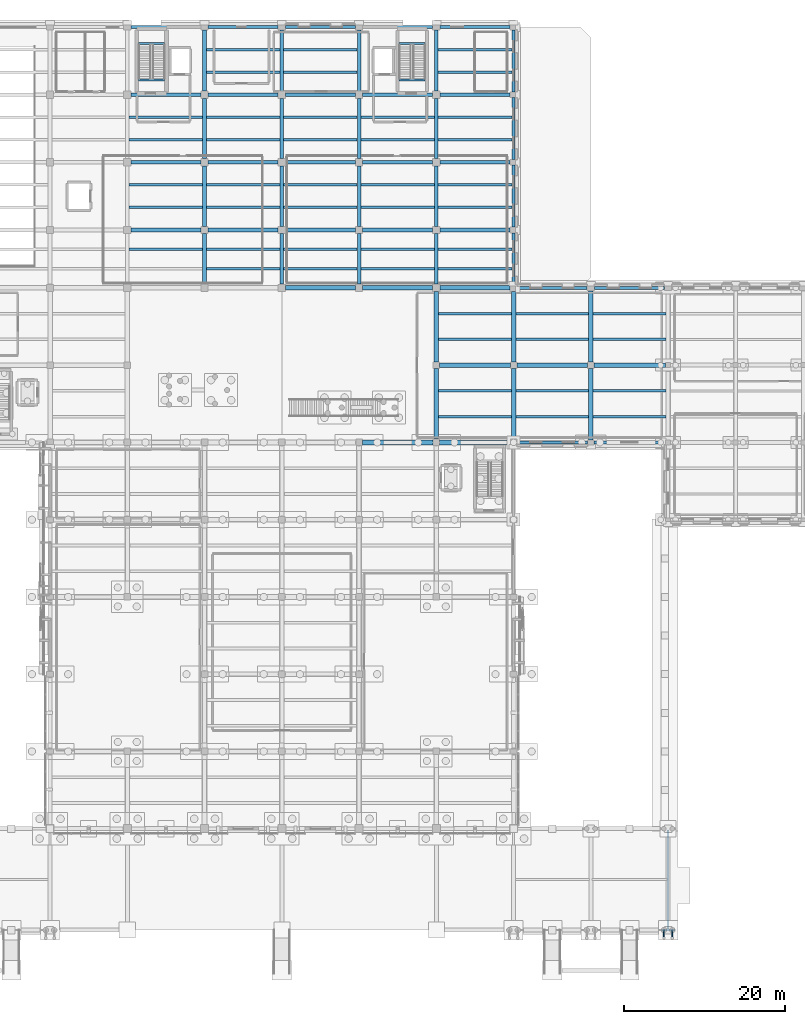
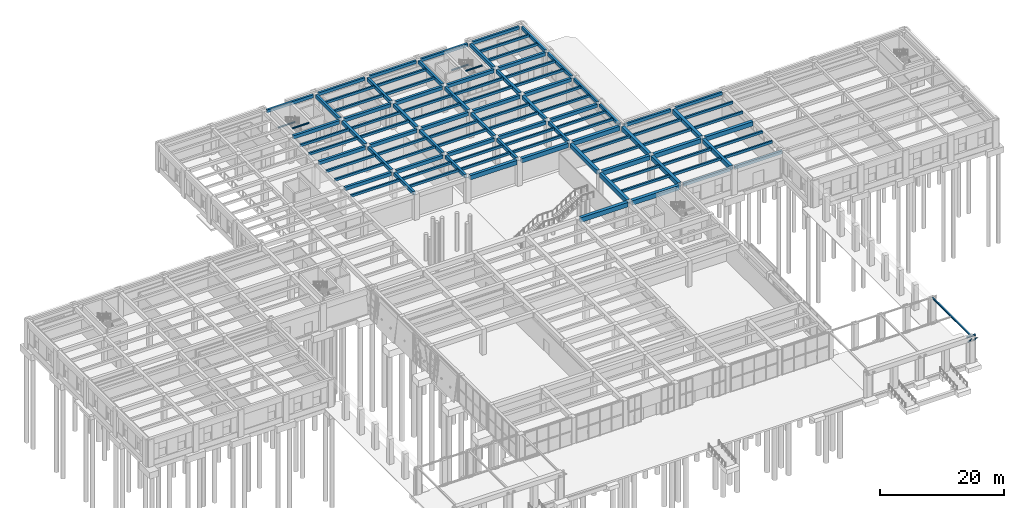
# One storey, part 22 of 51: 111 beams, 2 members.
"""IFC4 building model written with IfcOpenShell, lengths in metres."""

from ifc_helpers import new_model, si_unit, direction, frame, origin, origin_2d, place, context, subcontext, project, spatial, rectangle, hollow_circle, i_section, extrude, material, material_profile, profile_set, type_object, element, save


model = new_model("IFC4")

# Units and contexts
model_context = context("Model", 3, precision=1e-05, world=origin(), true_north=direction((0.0, 1.0)))
body_context = subcontext(model_context, "Body", "Model", "MODEL_VIEW")
ifc_project = project(units=[si_unit("LENGTHUNIT", "METRE"), si_unit("AREAUNIT", "SQUARE_METRE"), si_unit("VOLUMEUNIT", "CUBIC_METRE"), si_unit("PLANEANGLEUNIT", "RADIAN"), si_unit("MASSUNIT", "GRAM", prefix="KILO")], contexts=[model_context])

# Site, building, storey
site_placement = place(None, origin())
site = spatial("IfcSite", under=ifc_project, at=site_placement, CompositionType="ELEMENT")
building_placement = place(site_placement, origin())
building = spatial("IfcBuilding", under=site, at=building_placement, Name="Bempovik Park Faculty of Sciences", CompositionType="ELEMENT")
storey_placement = place(building_placement, origin())
storey = spatial("IfcBuildingStorey", under=building, at=storey_placement, Name="L00", CompositionType="ELEMENT", Elevation=0.0)

# Beams
ifc_material_1 = material(Name="Concrete C35/45", Category="concrete")
ifc_material_profile_1 = material_profile(ifc_material_1, rectangle(XDim=0.3798828125, YDim=0.60009765625, at=origin_2d()), Name="RC 380x600")
ifc_profile_set_1 = profile_set([ifc_material_profile_1], Name="Concrete C35/45")
beam_type_1 = type_object("IfcBeamType", Name="B-032 RC 380x600", PredefinedType="SPANDREL", material=ifc_profile_set_1)
beam_1_placement = place(storey_placement, frame((118.006103515625, 67.800048828125, 4.780029296875), z_axis=(1.0, 0.0, 0.0), x_axis=(0.0, 1.0, 0.0)))
element("IfcBeam", 1, at=beam_1_placement, inside=storey, type_object=beam_type_1, Name="L00 Beam X (117.6-127.2, y=67.8)", PredefinedType="SPANDREL", context=body_context, shape_type="SweptSolid", body=[
    extrude(rectangle(XDim=0.3798828125, YDim=0.60009765625, at=origin_2d()), origin(), (0.0, 0.0, 1.0), 8.787841796875),
])
beam_2_placement = place(storey_placement, frame((127.60595703125, 67.800048828125, 4.780029296875), z_axis=(1.0, 0.0, 0.0), x_axis=(0.0, 1.0, 0.0)))
element("IfcBeam", 2, at=beam_2_placement, inside=storey, type_object=beam_type_1, Name="L00 Beam X (127.2-136.8, y=67.8)", PredefinedType="SPANDREL", context=body_context, shape_type="SweptSolid", body=[
    extrude(rectangle(XDim=0.3798828125, YDim=0.60009765625, at=origin_2d()), origin(), (0.0, 0.0, 1.0), 8.8779296875),
])
for number, where, z_axis, x_axis, name in (
    (3, (118.055908203125, 87.0, 4.780029296875), (1.0, 0.0, 0.0), (0.0, 1.0, 0.0), "L00 Beam X (117.6-127.2, y=87.0)"),
    (4, (127.656005859375, 87.0, 4.780029296875), (1.0, 0.0, 0.0), (0.0, 1.0, 0.0), "L00 Beam X (127.2-136.8, y=87.0)"),
    (5, (70.055908203125, 119.39990234375, 4.780029296875), (1.0, 0.0, 0.0), (0.0, 1.0, 0.0), "L00 Beam X (69.6-79.2, y=119.4)"),
    (6, (79.656005859375, 119.39990234375, 4.780029296875), (1.0, 0.0, 0.0), (0.0, 1.0, 0.0), "L00 Beam X (79.2-88.8, y=119.4)"),
    (7, (89.256103515625, 119.39990234375, 4.780029296875), (1.0, 0.0, 0.0), (0.0, 1.0, 0.0), "L00 Beam X (88.8-98.4, y=119.4)"),
    (8, (98.85595703125, 119.39990234375, 4.780029296875), (1.0, 0.0, 0.0), (0.0, 1.0, 0.0), "L00 Beam X (98.4-108.0, y=119.4)"),
    (9, (108.4560546875, 119.39990234375, 4.780029296875), (1.0, 0.0, 0.0), (0.0, 1.0, 0.0), "L00 Beam X (108.0-117.6, y=119.4)"),
):
    element("IfcBeam", number, at=place(storey_placement, frame(where, z_axis=z_axis, x_axis=x_axis)), inside=storey, type_object=beam_type_1, Name=name, PredefinedType="SPANDREL", context=body_context, shape_type="SweptSolid", body=[
        extrude(rectangle(XDim=0.3798828125, YDim=0.60009765625, at=origin_2d()), origin(), (0.0, 0.0, 1.0), 8.68798828125),
    ])
beam_3_placement = place(storey_placement, frame((117.60009765625, 87.4560546875, 4.780029296875), z_axis=(0.0, 1.0, 0.0), x_axis=(-1.0, 0.0, 0.0)))
element("IfcBeam", 10, at=beam_3_placement, inside=storey, type_object=beam_type_1, Name="L00 Beam Y (x=117.6, 87.0-94.2)", PredefinedType="SPANDREL", context=body_context, shape_type="SweptSolid", body=[
    extrude(rectangle(XDim=0.3798828125, YDim=0.60009765625, at=origin_2d()), origin(), (0.0, 0.0, 1.0), 6.387939453125),
])
for number, where, z_axis, x_axis, name in (
    (11, (117.60009765625, 94.555908203125, 4.780029296875), (0.0, 1.0, 0.0), (-1.0, 0.0, 0.0), "L00 Beam Y (x=117.6, 94.2-102.6)"),
    (12, (117.60009765625, 102.9560546875, 4.780029296875), (0.0, 1.0, 0.0), (-1.0, 0.0, 0.0), "L00 Beam Y (x=117.6, 102.6-111.0)"),
    (13, (117.60009765625, 111.35595703125, 4.780029296875), (0.0, 1.0, 0.0), (-1.0, 0.0, 0.0), "L00 Beam Y (x=117.6, 111.0-119.4)"),
):
    element("IfcBeam", number, at=place(storey_placement, frame(where, z_axis=z_axis, x_axis=x_axis)), inside=storey, type_object=beam_type_1, Name=name, PredefinedType="SPANDREL", context=body_context, shape_type="SweptSolid", body=[
        extrude(rectangle(XDim=0.3798828125, YDim=0.60009765625, at=origin_2d()), origin(), (0.0, 0.0, 1.0), 7.68798828125),
    ])
ifc_material_profile_2 = material_profile(ifc_material_1, rectangle(XDim=0.300048828125, YDim=0.47998046875, at=origin_2d()), Name="RC 300x480")
ifc_profile_set_2 = profile_set([ifc_material_profile_2], Name="Concrete C35/45")
beam_type_2 = type_object("IfcBeamType", Name="B-039 RC 300x480", PredefinedType="JOIST", material=ifc_profile_set_2)
for number, where, z_axis, x_axis, name in (
    (14, (69.8310546875, 91.800048828125, 4.840087890625), (1.0, 0.0, 0.0), (0.0, 1.0, 0.0), "L00 Secondary Joist (69.6-79.2, y=91.80)"),
    (15, (69.8310546875, 97.0, 4.840087890625), (1.0, 0.0, 0.0), (0.0, 1.0, 0.0), "L00 Secondary Joist (69.6-79.2, y=97.00)"),
    (16, (69.8310546875, 99.800048828125, 4.840087890625), (1.0, 0.0, 0.0), (0.0, 1.0, 0.0), "L00 Secondary Joist (69.6-79.2, y=99.80)"),
    (17, (69.8310546875, 105.39990234375, 4.840087890625), (1.0, 0.0, 0.0), (0.0, 1.0, 0.0), "L00 Secondary Joist (69.6-79.2, y=105.40)"),
    (18, (69.8310546875, 108.199951171875, 4.840087890625), (1.0, 0.0, 0.0), (0.0, 1.0, 0.0), "L00 Secondary Joist (69.6-79.2, y=108.20)"),
):
    element("IfcBeam", number, at=place(storey_placement, frame(where, z_axis=z_axis, x_axis=x_axis)), inside=storey, type_object=beam_type_2, Name=name, PredefinedType="JOIST", context=body_context, shape_type="SweptSolid", body=[
        extrude(rectangle(XDim=0.300048828125, YDim=0.47998046875, at=origin_2d()), origin(), (0.0, 0.0, 1.0), 9.137939453125),
    ])
for number, where, z_axis, x_axis, name in (
    (19, (79.430908203125, 89.39990234375, 4.840087890625), (1.0, 0.0, 0.0), (0.0, 1.0, 0.0), "L00 Secondary Joist (79.2-88.8, y=89.40)"),
    (20, (79.430908203125, 91.800048828125, 4.840087890625), (1.0, 0.0, 0.0), (0.0, 1.0, 0.0), "L00 Secondary Joist (79.2-88.8, y=91.80)"),
    (21, (79.430908203125, 97.0, 4.840087890625), (1.0, 0.0, 0.0), (0.0, 1.0, 0.0), "L00 Secondary Joist (79.2-88.8, y=97.00)"),
    (22, (79.430908203125, 99.800048828125, 4.840087890625), (1.0, 0.0, 0.0), (0.0, 1.0, 0.0), "L00 Secondary Joist (79.2-88.8, y=99.80)"),
    (23, (79.430908203125, 105.39990234375, 4.840087890625), (1.0, 0.0, 0.0), (0.0, 1.0, 0.0), "L00 Secondary Joist (79.2-88.8, y=105.40)"),
    (24, (79.430908203125, 108.199951171875, 4.840087890625), (1.0, 0.0, 0.0), (0.0, 1.0, 0.0), "L00 Secondary Joist (79.2-88.8, y=108.20)"),
    (25, (79.430908203125, 113.800048828125, 4.840087890625), (1.0, 0.0, 0.0), (0.0, 1.0, 0.0), "L00 Secondary Joist (79.2-88.8, y=113.80)"),
    (26, (79.430908203125, 116.60009765625, 4.840087890625), (1.0, 0.0, 0.0), (0.0, 1.0, 0.0), "L00 Secondary Joist (79.2-88.8, y=116.60)"),
):
    element("IfcBeam", number, at=place(storey_placement, frame(where, z_axis=z_axis, x_axis=x_axis)), inside=storey, type_object=beam_type_2, Name=name, PredefinedType="JOIST", context=body_context, shape_type="SweptSolid", body=[
        extrude(rectangle(XDim=0.300048828125, YDim=0.47998046875, at=origin_2d()), origin(), (0.0, 0.0, 1.0), 9.13818359375),
    ])
for number, where, z_axis, x_axis, name in (
    (27, (89.031005859375, 89.39990234375, 4.840087890625), (1.0, 0.0, 0.0), (0.0, 1.0, 0.0), "L00 Secondary Joist (88.8-98.4, y=89.40)"),
    (28, (89.031005859375, 91.800048828125, 4.840087890625), (1.0, 0.0, 0.0), (0.0, 1.0, 0.0), "L00 Secondary Joist (88.8-98.4, y=91.80)"),
    (29, (89.031005859375, 97.0, 4.840087890625), (1.0, 0.0, 0.0), (0.0, 1.0, 0.0), "L00 Secondary Joist (88.8-98.4, y=97.00)"),
    (30, (89.031005859375, 99.800048828125, 4.840087890625), (1.0, 0.0, 0.0), (0.0, 1.0, 0.0), "L00 Secondary Joist (88.8-98.4, y=99.80)"),
    (31, (89.031005859375, 105.39990234375, 4.840087890625), (1.0, 0.0, 0.0), (0.0, 1.0, 0.0), "L00 Secondary Joist (88.8-98.4, y=105.40)"),
    (32, (89.031005859375, 108.199951171875, 4.840087890625), (1.0, 0.0, 0.0), (0.0, 1.0, 0.0), "L00 Secondary Joist (88.8-98.4, y=108.20)"),
    (33, (89.031005859375, 113.800048828125, 4.840087890625), (1.0, 0.0, 0.0), (0.0, 1.0, 0.0), "L00 Secondary Joist (88.8-98.4, y=113.80)"),
    (34, (89.031005859375, 116.60009765625, 4.840087890625), (1.0, 0.0, 0.0), (0.0, 1.0, 0.0), "L00 Secondary Joist (88.8-98.4, y=116.60)"),
    (35, (98.631103515625, 89.39990234375, 4.840087890625), (1.0, 0.0, 0.0), (0.0, 1.0, 0.0), "L00 Secondary Joist (98.4-108.0, y=89.40)"),
    (36, (98.631103515625, 91.800048828125, 4.840087890625), (1.0, 0.0, 0.0), (0.0, 1.0, 0.0), "L00 Secondary Joist (98.4-108.0, y=91.80)"),
    (37, (98.631103515625, 97.0, 4.840087890625), (1.0, 0.0, 0.0), (0.0, 1.0, 0.0), "L00 Secondary Joist (98.4-108.0, y=97.00)"),
    (38, (98.631103515625, 99.800048828125, 4.840087890625), (1.0, 0.0, 0.0), (0.0, 1.0, 0.0), "L00 Secondary Joist (98.4-108.0, y=99.80)"),
    (39, (98.631103515625, 105.39990234375, 4.840087890625), (1.0, 0.0, 0.0), (0.0, 1.0, 0.0), "L00 Secondary Joist (98.4-108.0, y=105.40)"),
    (40, (98.631103515625, 108.199951171875, 4.840087890625), (1.0, 0.0, 0.0), (0.0, 1.0, 0.0), "L00 Secondary Joist (98.4-108.0, y=108.20)"),
):
    element("IfcBeam", number, at=place(storey_placement, frame(where, z_axis=z_axis, x_axis=x_axis)), inside=storey, type_object=beam_type_2, Name=name, PredefinedType="JOIST", context=body_context, shape_type="SweptSolid", body=[
        extrude(rectangle(XDim=0.300048828125, YDim=0.47998046875, at=origin_2d()), origin(), (0.0, 0.0, 1.0), 9.137939453125),
    ])
for number, where, z_axis, x_axis, name in (
    (41, (108.281005859375, 71.0, 4.840087890625), (1.0, 0.0, 0.0), (0.0, 1.0, 0.0), "L00 Secondary Joist (108.0-117.6, y=71.00)"),
    (42, (108.281005859375, 74.199951171875, 4.840087890625), (1.0, 0.0, 0.0), (0.0, 1.0, 0.0), "L00 Secondary Joist (108.0-117.6, y=74.20)"),
    (43, (108.281005859375, 80.60009765625, 4.840087890625), (1.0, 0.0, 0.0), (0.0, 1.0, 0.0), "L00 Secondary Joist (108.0-117.6, y=80.60)"),
    (44, (108.281005859375, 83.800048828125, 4.840087890625), (1.0, 0.0, 0.0), (0.0, 1.0, 0.0), "L00 Secondary Joist (108.0-117.6, y=83.80)"),
):
    element("IfcBeam", number, at=place(storey_placement, frame(where, z_axis=z_axis, x_axis=x_axis)), inside=storey, type_object=beam_type_2, Name=name, PredefinedType="JOIST", context=body_context, shape_type="SweptSolid", body=[
        extrude(rectangle(XDim=0.300048828125, YDim=0.47998046875, at=origin_2d()), origin(), (0.0, 0.0, 1.0), 9.0380859375),
    ])
for number, where, z_axis, x_axis, name in (
    (45, (108.23095703125, 89.39990234375, 4.840087890625), (1.0, 0.0, 0.0), (0.0, 1.0, 0.0), "L00 Secondary Joist (108.0-117.6, y=89.40)"),
    (46, (108.23095703125, 91.800048828125, 4.840087890625), (1.0, 0.0, 0.0), (0.0, 1.0, 0.0), "L00 Secondary Joist (108.0-117.6, y=91.80)"),
    (47, (108.23095703125, 97.0, 4.840087890625), (1.0, 0.0, 0.0), (0.0, 1.0, 0.0), "L00 Secondary Joist (108.0-117.6, y=97.00)"),
    (48, (108.23095703125, 99.800048828125, 4.840087890625), (1.0, 0.0, 0.0), (0.0, 1.0, 0.0), "L00 Secondary Joist (108.0-117.6, y=99.80)"),
    (49, (108.23095703125, 105.39990234375, 4.840087890625), (1.0, 0.0, 0.0), (0.0, 1.0, 0.0), "L00 Secondary Joist (108.0-117.6, y=105.40)"),
    (50, (108.23095703125, 108.199951171875, 4.840087890625), (1.0, 0.0, 0.0), (0.0, 1.0, 0.0), "L00 Secondary Joist (108.0-117.6, y=108.20)"),
    (51, (108.23095703125, 113.800048828125, 4.840087890625), (1.0, 0.0, 0.0), (0.0, 1.0, 0.0), "L00 Secondary Joist (108.0-117.6, y=113.80)"),
    (52, (108.23095703125, 116.60009765625, 4.840087890625), (1.0, 0.0, 0.0), (0.0, 1.0, 0.0), "L00 Secondary Joist (108.0-117.6, y=116.60)"),
):
    element("IfcBeam", number, at=place(storey_placement, frame(where, z_axis=z_axis, x_axis=x_axis)), inside=storey, type_object=beam_type_2, Name=name, PredefinedType="JOIST", context=body_context, shape_type="SweptSolid", body=[
        extrude(rectangle(XDim=0.300048828125, YDim=0.47998046875, at=origin_2d()), origin(), (0.0, 0.0, 1.0), 9.173095703125),
    ])
for number, where, z_axis, x_axis, name in (
    (53, (117.881103515625, 71.0, 4.840087890625), (1.0, 0.0, 0.0), (0.0, 1.0, 0.0), "L00 Secondary Joist (117.6-127.2, y=71.00)"),
    (54, (117.881103515625, 74.199951171875, 4.840087890625), (1.0, 0.0, 0.0), (0.0, 1.0, 0.0), "L00 Secondary Joist (117.6-127.2, y=74.20)"),
    (55, (117.881103515625, 80.60009765625, 4.840087890625), (1.0, 0.0, 0.0), (0.0, 1.0, 0.0), "L00 Secondary Joist (117.6-127.2, y=80.60)"),
    (56, (117.881103515625, 83.800048828125, 4.840087890625), (1.0, 0.0, 0.0), (0.0, 1.0, 0.0), "L00 Secondary Joist (117.6-127.2, y=83.80)"),
):
    element("IfcBeam", number, at=place(storey_placement, frame(where, z_axis=z_axis, x_axis=x_axis)), inside=storey, type_object=beam_type_2, Name=name, PredefinedType="JOIST", context=body_context, shape_type="SweptSolid", body=[
        extrude(rectangle(XDim=0.300048828125, YDim=0.47998046875, at=origin_2d()), origin(), (0.0, 0.0, 1.0), 9.037841796875),
    ])
for number, where, z_axis, x_axis, name in (
    (57, (127.48095703125, 71.0, 4.840087890625), (1.0, 0.0, 0.0), (0.0, 1.0, 0.0), "L00 Secondary Joist (127.2-136.8, y=71.00)"),
    (58, (127.48095703125, 74.199951171875, 4.840087890625), (1.0, 0.0, 0.0), (0.0, 1.0, 0.0), "L00 Secondary Joist (127.2-136.8, y=74.20)"),
    (59, (127.48095703125, 80.60009765625, 4.840087890625), (1.0, 0.0, 0.0), (0.0, 1.0, 0.0), "L00 Secondary Joist (127.2-136.8, y=80.60)"),
    (60, (127.48095703125, 83.800048828125, 4.840087890625), (1.0, 0.0, 0.0), (0.0, 1.0, 0.0), "L00 Secondary Joist (127.2-136.8, y=83.80)"),
):
    element("IfcBeam", number, at=place(storey_placement, frame(where, z_axis=z_axis, x_axis=x_axis)), inside=storey, type_object=beam_type_2, Name=name, PredefinedType="JOIST", context=body_context, shape_type="SweptSolid", body=[
        extrude(rectangle(XDim=0.300048828125, YDim=0.47998046875, at=origin_2d()), origin(), (0.0, 0.0, 1.0), 9.0380859375),
    ])
ifc_material_2 = material(Name="Steel S355", Category="steel")
ifc_material_profile_3 = material_profile(ifc_material_2, i_section(OverallWidth=0.239990234375, OverallDepth=0.22998046875, WebThickness=0.007568359375, FlangeThickness=0.011962890625, at=origin_2d()), Name="HEA 240")
ifc_profile_set_3 = profile_set([ifc_material_profile_3], Name="Steel S355")
beam_type_3 = type_object("IfcBeamType", Name="B-070 HEA 240", PredefinedType="BEAM", material=ifc_profile_set_3)
for number, where, z_axis, x_axis, name in (
    (61, (71.006103515625, 117.36865234375, 2.385009765625), (1.0, 0.0, 0.0), (0.0, 1.0, 0.0), "L00 ST-1 Half-Landing Trimmer Beam"),
    (62, (71.006103515625, 112.85009765625, 4.965087890625), (1.0, 0.0, 0.0), (0.0, 1.0, 0.0), "L01 ST-1 Floor Landing Trimmer Beam"),
    (63, (103.381103515625, 117.36865234375, 2.385009765625), (1.0, 0.0, 0.0), (0.0, 1.0, 0.0), "L00 ST-2 Half-Landing Trimmer Beam"),
    (64, (103.381103515625, 112.85009765625, 4.965087890625), (1.0, 0.0, 0.0), (0.0, 1.0, 0.0), "L01 ST-2 Floor Landing Trimmer Beam"),
):
    element("IfcBeam", number, at=place(storey_placement, frame(where, z_axis=z_axis, x_axis=x_axis)), inside=storey, type_object=beam_type_3, Name=name, PredefinedType="BEAM", context=body_context, shape_type="SweptSolid", body=[
        extrude(i_section(OverallWidth=0.239990234375, OverallDepth=0.22998046875, WebThickness=0.007568359375, FlangeThickness=0.011962890625, at=origin_2d()), origin(), (0.0, 0.0, 1.0), 3.23779296875),
    ])
ifc_material_3 = material(Name="Concrete C40/50", Category="concrete")
ifc_material_profile_4 = material_profile(ifc_material_3, rectangle(XDim=0.550048828125, YDim=0.85009765625, at=origin_2d()), Name="RC 550x850")
ifc_profile_set_4 = profile_set([ifc_material_profile_4], Name="Concrete C40/50")
beam_type_4 = type_object("IfcBeamType", Name="B-080 RC 550x850", PredefinedType="BEAM", material=ifc_profile_set_4)
beam_4_placement = place(storey_placement, frame((108.406005859375, 77.39990234375, 4.655029296875), z_axis=(1.0, 0.0, 0.0), x_axis=(0.0, 1.0, 0.0)))
element("IfcBeam", 65, at=beam_4_placement, inside=storey, type_object=beam_type_4, Name="L00 Beam X (108.0-117.6, y=77.4)", PredefinedType="BEAM", context=body_context, shape_type="SweptSolid", body=[
    extrude(rectangle(XDim=0.550048828125, YDim=0.85009765625, at=origin_2d()), origin(), (0.0, 0.0, 1.0), 8.7880859375),
])
beam_5_placement = place(storey_placement, frame((118.006103515625, 77.39990234375, 4.655029296875), z_axis=(1.0, 0.0, 0.0), x_axis=(0.0, 1.0, 0.0)))
element("IfcBeam", 66, at=beam_5_placement, inside=storey, type_object=beam_type_4, Name="L00 Beam X (117.6-127.2, y=77.4)", PredefinedType="BEAM", context=body_context, shape_type="SweptSolid", body=[
    extrude(rectangle(XDim=0.550048828125, YDim=0.85009765625, at=origin_2d()), origin(), (0.0, 0.0, 1.0), 8.787841796875),
])
beam_6_placement = place(storey_placement, frame((127.60595703125, 77.39990234375, 4.655029296875), z_axis=(1.0, 0.0, 0.0), x_axis=(0.0, 1.0, 0.0)))
element("IfcBeam", 67, at=beam_6_placement, inside=storey, type_object=beam_type_4, Name="L00 Beam X (127.2-136.8, y=77.4)", PredefinedType="BEAM", context=body_context, shape_type="SweptSolid", body=[
    extrude(rectangle(XDim=0.550048828125, YDim=0.85009765625, at=origin_2d()), origin(), (0.0, 0.0, 1.0), 8.8779296875),
])
for number, where, z_axis, x_axis, name in (
    (68, (89.256103515625, 87.0, 4.655029296875), (1.0, 0.0, 0.0), (0.0, 1.0, 0.0), "L00 Beam X (88.8-98.4, y=87.0)"),
    (69, (98.85595703125, 87.0, 4.655029296875), (1.0, 0.0, 0.0), (0.0, 1.0, 0.0), "L00 Beam X (98.4-108.0, y=87.0)"),
    (70, (108.4560546875, 87.0, 4.655029296875), (1.0, 0.0, 0.0), (0.0, 1.0, 0.0), "L00 Beam X (108.0-117.6, y=87.0)"),
):
    element("IfcBeam", number, at=place(storey_placement, frame(where, z_axis=z_axis, x_axis=x_axis)), inside=storey, type_object=beam_type_4, Name=name, PredefinedType="BEAM", context=body_context, shape_type="SweptSolid", body=[
        extrude(rectangle(XDim=0.550048828125, YDim=0.85009765625, at=origin_2d()), origin(), (0.0, 0.0, 1.0), 8.68798828125),
    ])
beam_7_placement = place(storey_placement, frame((108.0, 68.2060546875, 4.655029296875), z_axis=(0.0, 1.0, 0.0), x_axis=(-1.0, 0.0, 0.0)))
element("IfcBeam", 71, at=beam_7_placement, inside=storey, type_object=beam_type_4, Name="L00 Beam Y (x=108.0, 67.8-77.4)", PredefinedType="BEAM", context=body_context, shape_type="SweptSolid", body=[
    extrude(rectangle(XDim=0.550048828125, YDim=0.85009765625, at=origin_2d()), origin(), (0.0, 0.0, 1.0), 8.787841796875),
])
beam_8_placement = place(storey_placement, frame((108.0, 77.805908203125, 4.655029296875), z_axis=(0.0, 1.0, 0.0), x_axis=(-1.0, 0.0, 0.0)))
element("IfcBeam", 72, at=beam_8_placement, inside=storey, type_object=beam_type_4, Name="L00 Beam Y (x=108.0, 77.4-87.0)", PredefinedType="BEAM", context=body_context, shape_type="SweptSolid", body=[
    extrude(rectangle(XDim=0.550048828125, YDim=0.85009765625, at=origin_2d()), origin(), (0.0, 0.0, 1.0), 8.738037109375),
])
beam_9_placement = place(storey_placement, frame((117.60009765625, 68.2060546875, 4.655029296875), z_axis=(0.0, 1.0, 0.0), x_axis=(-1.0, 0.0, 0.0)))
element("IfcBeam", 73, at=beam_9_placement, inside=storey, type_object=beam_type_4, Name="L00 Beam Y (x=117.6, 67.8-77.4)", PredefinedType="BEAM", context=body_context, shape_type="SweptSolid", body=[
    extrude(rectangle(XDim=0.550048828125, YDim=0.85009765625, at=origin_2d()), origin(), (0.0, 0.0, 1.0), 8.787841796875),
])
beam_10_placement = place(storey_placement, frame((117.60009765625, 77.805908203125, 4.655029296875), z_axis=(0.0, 1.0, 0.0), x_axis=(-1.0, 0.0, 0.0)))
element("IfcBeam", 74, at=beam_10_placement, inside=storey, type_object=beam_type_4, Name="L00 Beam Y (x=117.6, 77.4-87.0)", PredefinedType="BEAM", context=body_context, shape_type="SweptSolid", body=[
    extrude(rectangle(XDim=0.550048828125, YDim=0.85009765625, at=origin_2d()), origin(), (0.0, 0.0, 1.0), 8.738037109375),
])
beam_11_placement = place(storey_placement, frame((127.199951171875, 68.10595703125, 4.655029296875), z_axis=(0.0, 1.0, 0.0), x_axis=(-1.0, 0.0, 0.0)))
element("IfcBeam", 75, at=beam_11_placement, inside=storey, type_object=beam_type_4, Name="L00 Beam Y (x=127.2, 67.8-77.4)", PredefinedType="BEAM", context=body_context, shape_type="SweptSolid", body=[
    extrude(rectangle(XDim=0.550048828125, YDim=0.85009765625, at=origin_2d()), origin(), (0.0, 0.0, 1.0), 8.887939453125),
])
beam_12_placement = place(storey_placement, frame((127.199951171875, 77.805908203125, 4.655029296875), z_axis=(0.0, 1.0, 0.0), x_axis=(-1.0, 0.0, 0.0)))
element("IfcBeam", 76, at=beam_12_placement, inside=storey, type_object=beam_type_4, Name="L00 Beam Y (x=127.2, 77.4-87.0)", PredefinedType="BEAM", context=body_context, shape_type="SweptSolid", body=[
    extrude(rectangle(XDim=0.550048828125, YDim=0.85009765625, at=origin_2d()), origin(), (0.0, 0.0, 1.0), 8.838134765625),
])
ifc_material_profile_5 = material_profile(ifc_material_2, i_section(OverallWidth=0.260009765625, OverallDepth=0.25, WebThickness=0.007568359375, FlangeThickness=0.012451171875, at=origin_2d()), Name="HEA 260")
ifc_profile_set_5 = profile_set([ifc_material_profile_5], Name="Steel S355")
beam_type_5 = type_object("IfcBeamType", Name="B-082 HEA 260", PredefinedType="BEAM", material=ifc_profile_set_5)
beam_13_placement = place(storey_placement, frame((136.800048828125, 7.3359375, 5.054931640625), z_axis=(0.0, 1.0, 0.0), x_axis=(-1.0, 0.0, 0.0)))
element("IfcBeam", 77, at=beam_13_placement, inside=storey, type_object=beam_type_5, Name="Colonnade Canopy Beam Y E-136.8", PredefinedType="BEAM", context=body_context, shape_type="SweptSolid", body=[
    extrude(i_section(OverallWidth=0.260009765625, OverallDepth=0.25, WebThickness=0.007568359375, FlangeThickness=0.012451171875, at=origin_2d()), origin(), (0.0, 0.0, 1.0), 12.328125),
])
ifc_material_profile_6 = material_profile(ifc_material_2, i_section(OverallWidth=0.280029296875, OverallDepth=0.27001953125, WebThickness=0.008056640625, FlangeThickness=0.012939453125, at=origin_2d()), Name="HEA 280")
ifc_profile_set_6 = profile_set([ifc_material_profile_6], Name="Steel S355")
beam_type_6 = type_object("IfcBeamType", Name="B-098 HEA 280", PredefinedType="BEAM", material=ifc_profile_set_6)
beam_14_placement = place(storey_placement, frame((135.949951171875, 7.199951171875, 5.044921875), z_axis=(1.0, 0.0, 0.0), x_axis=(0.0, 1.0, 0.0)))
element("IfcBeam", 78, at=beam_14_placement, inside=storey, type_object=beam_type_6, Name="Colonnade Pier Cap Beam E-136.8", PredefinedType="BEAM", context=body_context, shape_type="SweptSolid", body=[
    extrude(i_section(OverallWidth=0.280029296875, OverallDepth=0.27001953125, WebThickness=0.008056640625, FlangeThickness=0.012939453125, at=origin_2d()), origin(), (0.0, 0.0, 1.0), 1.699951171875),
])
ifc_material_profile_7 = material_profile(ifc_material_1, rectangle(XDim=0.449951171875, YDim=0.679931640625, at=origin_2d()), Name="RC 450x680")
ifc_profile_set_7 = profile_set([ifc_material_profile_7], Name="Concrete C35/45")
beam_type_7 = type_object("IfcBeamType", Name="B-113 RC 450x680", PredefinedType="BEAM", material=ifc_profile_set_7)
for number, where, z_axis, x_axis, name in (
    (79, (70.055908203125, 94.199951171875, 4.739990234375), (1.0, 0.0, 0.0), (0.0, 1.0, 0.0), "L00 Beam X (69.6-79.2, y=94.2)"),
    (80, (79.656005859375, 94.199951171875, 4.739990234375), (1.0, 0.0, 0.0), (0.0, 1.0, 0.0), "L00 Beam X (79.2-88.8, y=94.2)"),
    (81, (89.256103515625, 94.199951171875, 4.739990234375), (1.0, 0.0, 0.0), (0.0, 1.0, 0.0), "L00 Beam X (88.8-98.4, y=94.2)"),
    (82, (98.85595703125, 94.199951171875, 4.739990234375), (1.0, 0.0, 0.0), (0.0, 1.0, 0.0), "L00 Beam X (98.4-108.0, y=94.2)"),
    (83, (108.4560546875, 94.199951171875, 4.739990234375), (1.0, 0.0, 0.0), (0.0, 1.0, 0.0), "L00 Beam X (108.0-117.6, y=94.2)"),
    (84, (70.055908203125, 102.60009765625, 4.739990234375), (1.0, 0.0, 0.0), (0.0, 1.0, 0.0), "L00 Beam X (69.6-79.2, y=102.6)"),
    (85, (79.656005859375, 102.60009765625, 4.739990234375), (1.0, 0.0, 0.0), (0.0, 1.0, 0.0), "L00 Beam X (79.2-88.8, y=102.6)"),
    (86, (89.256103515625, 102.60009765625, 4.739990234375), (1.0, 0.0, 0.0), (0.0, 1.0, 0.0), "L00 Beam X (88.8-98.4, y=102.6)"),
    (87, (98.85595703125, 102.60009765625, 4.739990234375), (1.0, 0.0, 0.0), (0.0, 1.0, 0.0), "L00 Beam X (98.4-108.0, y=102.6)"),
    (88, (108.4560546875, 102.60009765625, 4.739990234375), (1.0, 0.0, 0.0), (0.0, 1.0, 0.0), "L00 Beam X (108.0-117.6, y=102.6)"),
    (89, (70.055908203125, 111.0, 4.739990234375), (1.0, 0.0, 0.0), (0.0, 1.0, 0.0), "L00 Beam X (69.6-79.2, y=111.0)"),
    (90, (79.656005859375, 111.0, 4.739990234375), (1.0, 0.0, 0.0), (0.0, 1.0, 0.0), "L00 Beam X (79.2-88.8, y=111.0)"),
    (91, (89.256103515625, 111.0, 4.739990234375), (1.0, 0.0, 0.0), (0.0, 1.0, 0.0), "L00 Beam X (88.8-98.4, y=111.0)"),
    (92, (98.85595703125, 111.0, 4.739990234375), (1.0, 0.0, 0.0), (0.0, 1.0, 0.0), "L00 Beam X (98.4-108.0, y=111.0)"),
    (93, (108.4560546875, 111.0, 4.739990234375), (1.0, 0.0, 0.0), (0.0, 1.0, 0.0), "L00 Beam X (108.0-117.6, y=111.0)"),
):
    element("IfcBeam", number, at=place(storey_placement, frame(where, z_axis=z_axis, x_axis=x_axis)), inside=storey, type_object=beam_type_7, Name=name, PredefinedType="BEAM", context=body_context, shape_type="SweptSolid", body=[
        extrude(rectangle(XDim=0.449951171875, YDim=0.679931640625, at=origin_2d()), origin(), (0.0, 0.0, 1.0), 8.68798828125),
    ])
beam_15_placement = place(storey_placement, frame((79.199951171875, 87.4560546875, 4.739990234375), z_axis=(0.0, 1.0, 0.0), x_axis=(-1.0, 0.0, 0.0)))
element("IfcBeam", 94, at=beam_15_placement, inside=storey, type_object=beam_type_7, Name="L00 Beam Y (x=79.2, 87.0-94.2)", PredefinedType="BEAM", context=body_context, shape_type="SweptSolid", body=[
    extrude(rectangle(XDim=0.449951171875, YDim=0.679931640625, at=origin_2d()), origin(), (0.0, 0.0, 1.0), 6.287841796875),
])
for number, where, z_axis, x_axis, name in (
    (95, (79.199951171875, 94.656005859375, 4.739990234375), (0.0, 1.0, 0.0), (-1.0, 0.0, 0.0), "L00 Beam Y (x=79.2, 94.2-102.6)"),
    (96, (79.199951171875, 103.055908203125, 4.739990234375), (0.0, 1.0, 0.0), (-1.0, 0.0, 0.0), "L00 Beam Y (x=79.2, 102.6-111.0)"),
):
    element("IfcBeam", number, at=place(storey_placement, frame(where, z_axis=z_axis, x_axis=x_axis)), inside=storey, type_object=beam_type_7, Name=name, PredefinedType="BEAM", context=body_context, shape_type="SweptSolid", body=[
        extrude(rectangle(XDim=0.449951171875, YDim=0.679931640625, at=origin_2d()), origin(), (0.0, 0.0, 1.0), 7.488037109375),
    ])
beam_16_placement = place(storey_placement, frame((79.199951171875, 111.4560546875, 4.739990234375), z_axis=(0.0, 1.0, 0.0), x_axis=(-1.0, 0.0, 0.0)))
element("IfcBeam", 97, at=beam_16_placement, inside=storey, type_object=beam_type_7, Name="L00 Beam Y (x=79.2, 111.0-119.4)", PredefinedType="BEAM", context=body_context, shape_type="SweptSolid", body=[
    extrude(rectangle(XDim=0.449951171875, YDim=0.679931640625, at=origin_2d()), origin(), (0.0, 0.0, 1.0), 7.587890625),
])
beam_17_placement = place(storey_placement, frame((88.800048828125, 87.4560546875, 4.739990234375), z_axis=(0.0, 1.0, 0.0), x_axis=(-1.0, 0.0, 0.0)))
element("IfcBeam", 98, at=beam_17_placement, inside=storey, type_object=beam_type_7, Name="L00 Beam Y (x=88.8, 87.0-94.2)", PredefinedType="BEAM", context=body_context, shape_type="SweptSolid", body=[
    extrude(rectangle(XDim=0.449951171875, YDim=0.679931640625, at=origin_2d()), origin(), (0.0, 0.0, 1.0), 6.287841796875),
])
for number, where, z_axis, x_axis, name in (
    (99, (88.800048828125, 94.656005859375, 4.739990234375), (0.0, 1.0, 0.0), (-1.0, 0.0, 0.0), "L00 Beam Y (x=88.8, 94.2-102.6)"),
    (100, (88.800048828125, 103.055908203125, 4.739990234375), (0.0, 1.0, 0.0), (-1.0, 0.0, 0.0), "L00 Beam Y (x=88.8, 102.6-111.0)"),
):
    element("IfcBeam", number, at=place(storey_placement, frame(where, z_axis=z_axis, x_axis=x_axis)), inside=storey, type_object=beam_type_7, Name=name, PredefinedType="BEAM", context=body_context, shape_type="SweptSolid", body=[
        extrude(rectangle(XDim=0.449951171875, YDim=0.679931640625, at=origin_2d()), origin(), (0.0, 0.0, 1.0), 7.488037109375),
    ])
beam_18_placement = place(storey_placement, frame((88.800048828125, 111.4560546875, 4.739990234375), z_axis=(0.0, 1.0, 0.0), x_axis=(-1.0, 0.0, 0.0)))
element("IfcBeam", 101, at=beam_18_placement, inside=storey, type_object=beam_type_7, Name="L00 Beam Y (x=88.8, 111.0-119.4)", PredefinedType="BEAM", context=body_context, shape_type="SweptSolid", body=[
    extrude(rectangle(XDim=0.449951171875, YDim=0.679931640625, at=origin_2d()), origin(), (0.0, 0.0, 1.0), 7.587890625),
])
beam_19_placement = place(storey_placement, frame((98.39990234375, 87.4560546875, 4.739990234375), z_axis=(0.0, 1.0, 0.0), x_axis=(-1.0, 0.0, 0.0)))
element("IfcBeam", 102, at=beam_19_placement, inside=storey, type_object=beam_type_7, Name="L00 Beam Y (x=98.4, 87.0-94.2)", PredefinedType="BEAM", context=body_context, shape_type="SweptSolid", body=[
    extrude(rectangle(XDim=0.449951171875, YDim=0.679931640625, at=origin_2d()), origin(), (0.0, 0.0, 1.0), 6.287841796875),
])
for number, where, z_axis, x_axis, name in (
    (103, (98.39990234375, 94.656005859375, 4.739990234375), (0.0, 1.0, 0.0), (-1.0, 0.0, 0.0), "L00 Beam Y (x=98.4, 94.2-102.6)"),
    (104, (98.39990234375, 103.055908203125, 4.739990234375), (0.0, 1.0, 0.0), (-1.0, 0.0, 0.0), "L00 Beam Y (x=98.4, 102.6-111.0)"),
):
    element("IfcBeam", number, at=place(storey_placement, frame(where, z_axis=z_axis, x_axis=x_axis)), inside=storey, type_object=beam_type_7, Name=name, PredefinedType="BEAM", context=body_context, shape_type="SweptSolid", body=[
        extrude(rectangle(XDim=0.449951171875, YDim=0.679931640625, at=origin_2d()), origin(), (0.0, 0.0, 1.0), 7.488037109375),
    ])
beam_20_placement = place(storey_placement, frame((98.39990234375, 111.4560546875, 4.739990234375), z_axis=(0.0, 1.0, 0.0), x_axis=(-1.0, 0.0, 0.0)))
element("IfcBeam", 105, at=beam_20_placement, inside=storey, type_object=beam_type_7, Name="L00 Beam Y (x=98.4, 111.0-119.4)", PredefinedType="BEAM", context=body_context, shape_type="SweptSolid", body=[
    extrude(rectangle(XDim=0.449951171875, YDim=0.679931640625, at=origin_2d()), origin(), (0.0, 0.0, 1.0), 7.587890625),
])
beam_21_placement = place(storey_placement, frame((108.0, 87.4560546875, 4.739990234375), z_axis=(0.0, 1.0, 0.0), x_axis=(-1.0, 0.0, 0.0)))
element("IfcBeam", 106, at=beam_21_placement, inside=storey, type_object=beam_type_7, Name="L00 Beam Y (x=108.0, 87.0-94.2)", PredefinedType="BEAM", context=body_context, shape_type="SweptSolid", body=[
    extrude(rectangle(XDim=0.449951171875, YDim=0.679931640625, at=origin_2d()), origin(), (0.0, 0.0, 1.0), 6.287841796875),
])
for number, where, z_axis, x_axis, name in (
    (107, (108.0, 94.656005859375, 4.739990234375), (0.0, 1.0, 0.0), (-1.0, 0.0, 0.0), "L00 Beam Y (x=108.0, 94.2-102.6)"),
    (108, (108.0, 103.055908203125, 4.739990234375), (0.0, 1.0, 0.0), (-1.0, 0.0, 0.0), "L00 Beam Y (x=108.0, 102.6-111.0)"),
):
    element("IfcBeam", number, at=place(storey_placement, frame(where, z_axis=z_axis, x_axis=x_axis)), inside=storey, type_object=beam_type_7, Name=name, PredefinedType="BEAM", context=body_context, shape_type="SweptSolid", body=[
        extrude(rectangle(XDim=0.449951171875, YDim=0.679931640625, at=origin_2d()), origin(), (0.0, 0.0, 1.0), 7.488037109375),
    ])
beam_22_placement = place(storey_placement, frame((108.0, 111.4560546875, 4.739990234375), z_axis=(0.0, 1.0, 0.0), x_axis=(-1.0, 0.0, 0.0)))
element("IfcBeam", 109, at=beam_22_placement, inside=storey, type_object=beam_type_7, Name="L00 Beam Y (x=108.0, 111.0-119.4)", PredefinedType="BEAM", context=body_context, shape_type="SweptSolid", body=[
    extrude(rectangle(XDim=0.449951171875, YDim=0.679931640625, at=origin_2d()), origin(), (0.0, 0.0, 1.0), 7.587890625),
])
ifc_material_profile_8 = material_profile(ifc_material_3, rectangle(XDim=0.60009765625, YDim=0.89990234375, at=origin_2d()), Name="RC 600x900")
ifc_profile_set_8 = profile_set([ifc_material_profile_8], Name="Concrete C40/50")
beam_type_8 = type_object("IfcBeamType", Name="B-115 RC 600x900", PredefinedType="BEAM", material=ifc_profile_set_8)
for number, where, z_axis, x_axis, name in (
    (110, (98.805908203125, 67.800048828125, 4.6298828125), (1.0, 0.0, 0.0), (0.0, 1.0, 0.0), "L00 Beam X (98.4-108.0, y=67.8)"),
    (111, (108.406005859375, 67.800048828125, 4.6298828125), (1.0, 0.0, 0.0), (0.0, 1.0, 0.0), "L00 Beam X (108.0-117.6, y=67.8)"),
):
    element("IfcBeam", number, at=place(storey_placement, frame(where, z_axis=z_axis, x_axis=x_axis)), inside=storey, type_object=beam_type_8, Name=name, PredefinedType="BEAM", context=body_context, shape_type="SweptSolid", body=[
        extrude(rectangle(XDim=0.60009765625, YDim=0.89990234375, at=origin_2d()), origin(), (0.0, 0.0, 1.0), 8.7880859375),
    ])

# Members
ifc_material_profile_9 = material_profile(ifc_material_2, hollow_circle(Radius=0.084228515625, WallThickness=0.008056640625, at=origin_2d()), Name="CHS 168.3x8")
ifc_profile_set_9 = profile_set([ifc_material_profile_9], Name="Steel S355")
member_type = type_object("IfcMemberType", Name="M-51 CHS 168.3x8", PredefinedType="STRUT", material=ifc_profile_set_9)
for number, where, z_axis, x_axis, name in (
    (112, (136.280029296875, 7.199951171875, 4.10009765625), (0.0, -0.686283985267, 0.727333686534), (1.0, 0.0, 0.0), "Colonnade Overhang Strut 136.8-W"),
    (113, (137.320068359375, 7.199951171875, 4.10009765625), (0.0, -0.686283985267, 0.727333686534), (1.0, 0.0, 0.0), "Colonnade Overhang Strut 136.8-E"),
):
    element("IfcMember", number, at=place(storey_placement, frame(where, z_axis=z_axis, x_axis=x_axis)), inside=storey, type_object=member_type, Name=name, PredefinedType="STRUT", context=body_context, shape_type="SweptSolid", body=[
        extrude(hollow_circle(Radius=0.084228515625, WallThickness=0.008056640625, at=origin_2d()), origin(), (0.0, 0.0, 1.0), 1.45703125),
    ])

save(model, "model.ifc")
